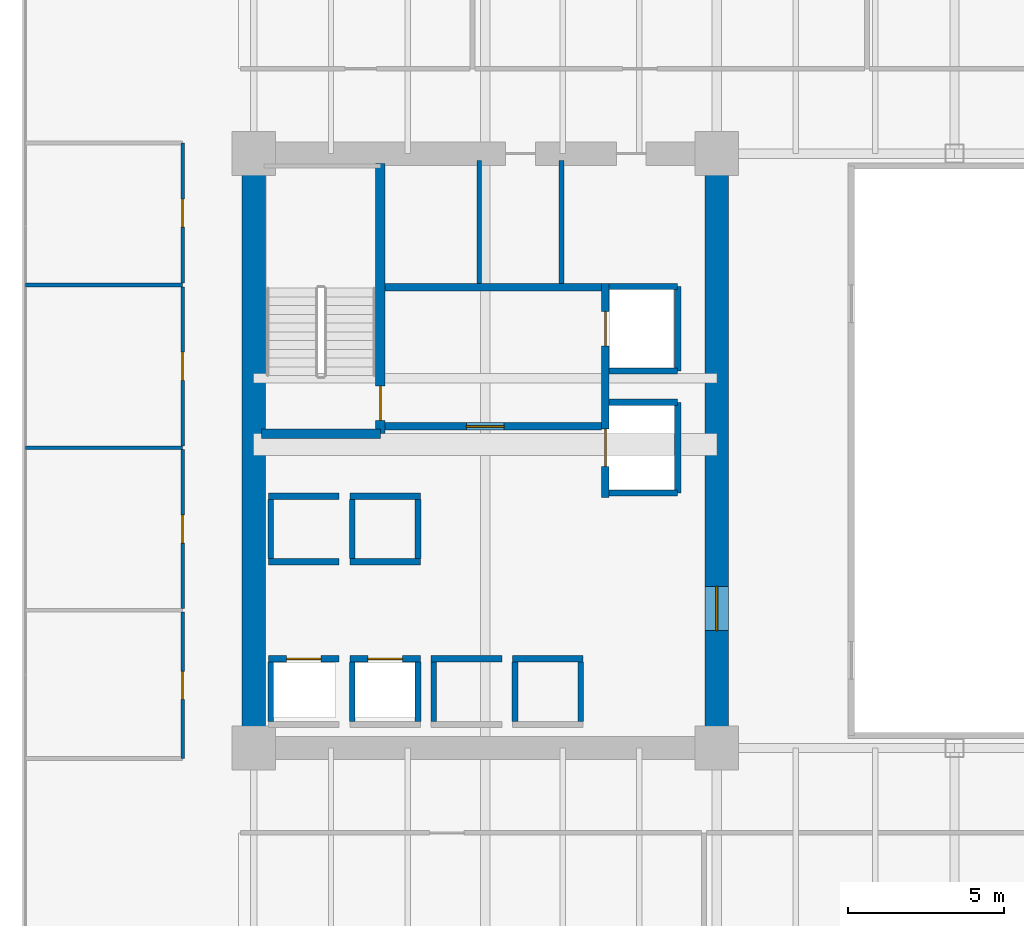
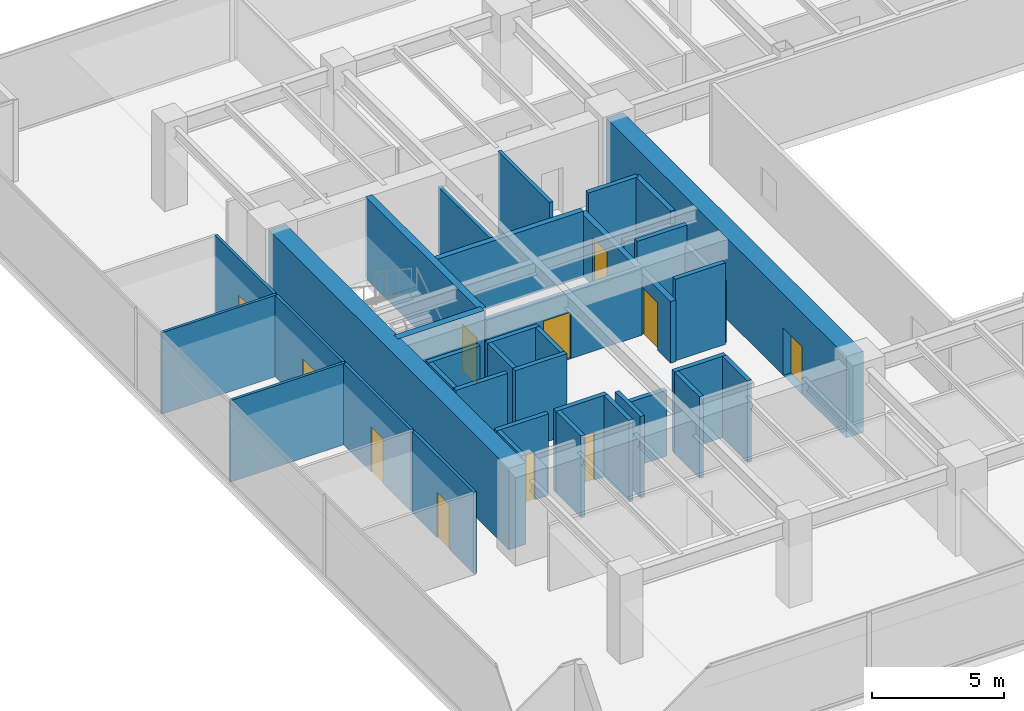
# One storey, part 29 of 36: 38 walls, 11 doors, 11 openings.
"""IFC4 building model written with IfcOpenShell, lengths in metres."""

from ifc_helpers import new_model, si_unit, direction, frame, frame_2d, origin, place, context, subcontext, project, spatial, rectangle, extrude, source, transform, mapped, material, layer, layer_set, type_object, type_shapes, element, fill, save


model = new_model("IFC4")

# Units and contexts
model_context = context("Model", 3, precision=1e-05, world=origin(), true_north=direction((0.0, 1.0)))
body_context = subcontext(model_context, "Body", "Model", "MODEL_VIEW")
ifc_project = project(units=[si_unit("LENGTHUNIT", "METRE"), si_unit("AREAUNIT", "SQUARE_METRE"), si_unit("VOLUMEUNIT", "CUBIC_METRE"), si_unit("PLANEANGLEUNIT", "RADIAN"), si_unit("MASSUNIT", "GRAM", prefix="KILO")], contexts=[model_context])

# Site, building, storey
site_placement = place(None, origin())
site = spatial("IfcSite", under=ifc_project, at=site_placement, CompositionType="ELEMENT")
building_placement = place(site_placement, origin())
building = spatial("IfcBuilding", under=site, at=building_placement, Name="Haelvirn Gate Laboratories", CompositionType="ELEMENT")
storey_placement = place(building_placement, frame((0.0, 0.0, 53.89990234375)))
storey = spatial("IfcBuildingStorey", under=building, at=storey_placement, Name="L13", CompositionType="ELEMENT", Elevation=53.89990234375)

# Wall, opening, door
ifc_material_1 = material(Name="Lightweight acoustic gypsum board partition", Category="gypsum")
ifc_layer_1 = layer(ifc_material_1, 0.1201171875, Name="IW-PART-120")
ifc_layer_set_1 = layer_set([ifc_layer_1], Name="Lightweight acoustic gypsum board partition")
wall_type_1 = type_object("IfcWallType", Name="IW-PART-120", PredefinedType="PARTITIONING", material=ifc_layer_set_1)
wall_1_placement = place(storey_placement, frame((5.1298828125, 14.465087890625, 0.0), z_axis=(0.0, 0.0, 1.0), x_axis=(0.0, 1.0, 0.0)))
wall_1 = element("IfcWall", 1, at=wall_1_placement, inside=storey, type_object=wall_type_1, Name="L13 Interior Wall IW-L13-WPASS-01", PredefinedType="PARTITIONING", context=body_context, shape_type="SweptSolid", body=[
    extrude(rectangle(XDim=4.6748046875, YDim=0.1201171875, at=frame_2d((2.33740234375, 0.0))), origin(), (0.0, 0.0, 1.0), 3.780029296875),
])
opening_1_placement = place(wall_1_placement, frame((1.887451171875, 0.0, 0.0)))
opening_1 = element("IfcOpeningElement", 2, at=opening_1_placement, cuts=wall_1, Name="Opening D4", PredefinedType="OPENING", context=body_context, shape_type="SweptSolid", body=[
    extrude(rectangle(XDim=0.89990234375, YDim=2.10009765625, at=frame_2d((0.449951171875, 1.050048828125))), frame((0.0, 0.070068359375, 0.0), z_axis=(0.0, -1.0, 0.0), x_axis=(1.0, 0.0, 0.0)), (0.0, 0.0, 1.0), 0.14013671875),
])
ifc_material_2 = material(Name="Glazed aluminium-framed write-up door", Category="aluminium")
door_type_1 = type_object("IfcDoorType", Name="DR-OFF-900", OperationType="NOTDEFINED", PredefinedType="DOOR", material=ifc_material_2)
shared_shape_1 = source(origin(), body_context, "Body", "SweptSolid", [
    extrude(rectangle(XDim=0.89990234375, YDim=2.10009765625, at=frame_2d((0.449951171875, 1.050048828125))), frame((0.0, 0.02490234375, 0.0), z_axis=(0.0, -1.0, 0.0), x_axis=(1.0, 0.0, 0.0)), (0.0, 0.0, 1.0), 0.050048828125),
])
type_shapes(door_type_1, [shared_shape_1])
door_1_placement = place(opening_1_placement, origin())
door_1 = element("IfcDoor", 3, at=door_1_placement, inside=storey, type_object=door_type_1, Name="L13 Proteomics Mass-Spec Laboratory Door W1", OperationType="SINGLE_SWING_LEFT", OverallHeight=2.10009765625, OverallWidth=0.89990234375, PredefinedType="DOOR", context=body_context, shape_type="MappedRepresentation", body=[
    mapped(shared_shape_1, transform((0.0, 0.0, 0.0), scale=1.0)),
])
fill(opening_1, door_1)

wall_2_placement = place(storey_placement, frame((5.1298828125, 19.260009765625, 0.0), z_axis=(0.0, 0.0, 1.0), x_axis=(0.0, 1.0, 0.0)))
wall_2 = element("IfcWall", 4, at=wall_2_placement, inside=storey, type_object=wall_type_1, Name="L13 Interior Wall IW-L13-WPASS-02", PredefinedType="PARTITIONING", context=body_context, shape_type="SweptSolid", body=[
    extrude(rectangle(XDim=5.080078125, YDim=0.1201171875, at=frame_2d((2.5400390625, 0.0))), origin(), (0.0, 0.0, 1.0), 3.780029296875),
])
opening_2_placement = place(wall_2_placement, frame((2.090087890625, 0.0, 0.0)))
opening_2 = element("IfcOpeningElement", 5, at=opening_2_placement, cuts=wall_2, Name="Opening D4", PredefinedType="OPENING", context=body_context, shape_type="SweptSolid", body=[
    extrude(rectangle(XDim=0.89990234375, YDim=2.10009765625, at=frame_2d((0.449951171875, 1.050048828125))), frame((0.0, 0.070068359375, 0.0), z_axis=(0.0, -1.0, 0.0), x_axis=(1.0, 0.0, 0.0)), (0.0, 0.0, 1.0), 0.14013671875),
])
door_2_placement = place(opening_2_placement, origin())
door_2 = element("IfcDoor", 6, at=door_2_placement, inside=storey, type_object=door_type_1, Name="L13 Chemical Synthesis Laboratory Door W2", OperationType="SINGLE_SWING_RIGHT", OverallHeight=2.10009765625, OverallWidth=0.89990234375, PredefinedType="DOOR", context=body_context, shape_type="MappedRepresentation", body=[
    mapped(shared_shape_1, transform((0.0, 0.0, 0.0), scale=1.0)),
])
fill(opening_2, door_2)

# Wall
wall_3_placement = place(storey_placement, frame((0.110107421875, 24.39990234375, 0.0), z_axis=(0.0, 0.0, 1.0), x_axis=(1.0, 0.0, 0.0)))
element("IfcWall", 7, at=wall_3_placement, inside=storey, type_object=wall_type_1, Name="L13 Interior Wall IW-L13-WDIV-02", PredefinedType="PARTITIONING", context=body_context, shape_type="SweptSolid", body=[
    extrude(rectangle(XDim=5.019775390625, YDim=0.1201171875, at=frame_2d((2.509765625, 0.0))), origin(), (0.0, 0.0, 1.0), 3.780029296875),
])

# Wall, opening, door
wall_4_placement = place(storey_placement, frame((5.1298828125, 24.4599609375, 0.0), z_axis=(0.0, 0.0, 1.0), x_axis=(0.0, 1.0, 0.0)))
wall_4 = element("IfcWall", 8, at=wall_4_placement, inside=storey, type_object=wall_type_1, Name="L13 Interior Wall IW-L13-WPASS-03", PredefinedType="PARTITIONING", context=body_context, shape_type="SweptSolid", body=[
    extrude(rectangle(XDim=5.080078125, YDim=0.1201171875, at=frame_2d((2.5400390625, 0.0))), origin(), (0.0, 0.0, 1.0), 3.780029296875),
])
opening_3_placement = place(wall_4_placement, frame((2.090087890625, 0.0, 0.0)))
opening_3 = element("IfcOpeningElement", 9, at=opening_3_placement, cuts=wall_4, Name="Opening D4", PredefinedType="OPENING", context=body_context, shape_type="SweptSolid", body=[
    extrude(rectangle(XDim=0.89990234375, YDim=2.10009765625, at=frame_2d((0.449951171875, 1.050048828125))), frame((0.0, 0.070068359375, 0.0), z_axis=(0.0, -1.0, 0.0), x_axis=(1.0, 0.0, 0.0)), (0.0, 0.0, 1.0), 0.14013671875),
])
door_3_placement = place(opening_3_placement, origin())
door_3 = element("IfcDoor", 10, at=door_3_placement, inside=storey, type_object=door_type_1, Name="L13 Bioprocess Foundry Laboratory Door W3", OperationType="SINGLE_SWING_LEFT", OverallHeight=2.10009765625, OverallWidth=0.89990234375, PredefinedType="DOOR", context=body_context, shape_type="MappedRepresentation", body=[
    mapped(shared_shape_1, transform((0.0, 0.0, 0.0), scale=1.0)),
])
fill(opening_3, door_3)

# Wall
wall_5_placement = place(storey_placement, frame((0.110107421875, 29.60009765625, 0.0), z_axis=(0.0, 0.0, 1.0), x_axis=(1.0, 0.0, 0.0)))
element("IfcWall", 11, at=wall_5_placement, inside=storey, type_object=wall_type_1, Name="L13 Interior Wall IW-L13-WDIV-03", PredefinedType="PARTITIONING", context=body_context, shape_type="SweptSolid", body=[
    extrude(rectangle(XDim=5.019775390625, YDim=0.1201171875, at=frame_2d((2.509765625, 0.0))), origin(), (0.0, 0.0, 1.0), 3.780029296875),
])

# Wall, opening, door
wall_6_placement = place(storey_placement, frame((5.1298828125, 29.659912109375, 0.0), z_axis=(0.0, 0.0, 1.0), x_axis=(0.0, 1.0, 0.0)))
wall_6 = element("IfcWall", 12, at=wall_6_placement, inside=storey, type_object=wall_type_1, Name="L13 Interior Wall IW-L13-WPASS-04", PredefinedType="PARTITIONING", context=body_context, shape_type="SweptSolid", body=[
    extrude(rectangle(XDim=4.47509765625, YDim=0.1201171875, at=frame_2d((2.237548828125, 0.0))), origin(), (0.0, 0.0, 1.0), 3.780029296875),
])
opening_4_placement = place(wall_6_placement, frame((1.78759765625, 0.0, 0.0)))
opening_4 = element("IfcOpeningElement", 13, at=opening_4_placement, cuts=wall_6, Name="Opening D4", PredefinedType="OPENING", context=body_context, shape_type="SweptSolid", body=[
    extrude(rectangle(XDim=0.89990234375, YDim=2.10009765625, at=frame_2d((0.449951171875, 1.050048828125))), frame((0.0, 0.070068359375, 0.0), z_axis=(0.0, -1.0, 0.0), x_axis=(1.0, 0.0, 0.0)), (0.0, 0.0, 1.0), 0.14013671875),
])
door_4_placement = place(opening_4_placement, origin())
door_4 = element("IfcDoor", 14, at=door_4_placement, inside=storey, type_object=door_type_1, Name="L13 Genomics Assay Laboratory Door W4", OperationType="SINGLE_SWING_RIGHT", OverallHeight=2.10009765625, OverallWidth=0.89990234375, PredefinedType="DOOR", context=body_context, shape_type="MappedRepresentation", body=[
    mapped(shared_shape_1, transform((0.0, 0.0, 0.0), scale=1.0)),
])
fill(opening_4, door_4)

# Walls
ifc_material_3 = material(Name="Cement-board restroom plumbing chase wall", Category="gypsum")
ifc_layer_2 = layer(ifc_material_3, 0.155029296875, Name="IW-PLUMB-160")
ifc_layer_set_2 = layer_set([ifc_layer_2], Name="Cement-board restroom plumbing chase wall")
wall_type_2 = type_object("IfcWallType", Name="IW-PLUMB-160", PredefinedType="PLUMBINGWALL", material=ifc_layer_set_2)
wall_7_placement = place(storey_placement, frame((14.610107421875, 29.64990234375, 0.0), z_axis=(0.0, 0.0, 1.0), x_axis=(0.0, 1.0, 0.0)))
element("IfcWall", 15, at=wall_7_placement, inside=storey, type_object=wall_type_2, Name="L13 Interior Wall IW-L13-W-CDIV-0", PredefinedType="PLUMBINGWALL", context=body_context, shape_type="SweptSolid", body=[
    extrude(rectangle(XDim=3.93017578125, YDim=0.155029296875, at=frame_2d((1.965087890625, 0.0))), origin(), (0.0, 0.0, 1.0), 3.065185546875),
])
wall_8_placement = place(storey_placement, frame((17.239990234375, 29.64990234375, 0.0), z_axis=(0.0, 0.0, 1.0), x_axis=(0.0, 1.0, 0.0)))
element("IfcWall", 16, at=wall_8_placement, inside=storey, type_object=wall_type_2, Name="L13 Interior Wall IW-L13-W-CDIV-1", PredefinedType="PLUMBINGWALL", context=body_context, shape_type="SweptSolid", body=[
    extrude(rectangle(XDim=3.93017578125, YDim=0.155029296875, at=frame_2d((1.965087890625, 0.0))), origin(), (0.0, 0.0, 1.0), 3.780029296875),
])
ifc_material_4 = material(Name="Concrete C40/50", Category="concrete")
ifc_layer_3 = layer(ifc_material_4, 0.179931640625, Name="IW-SHAFT-180")
ifc_layer_set_3 = layer_set([ifc_layer_3], Name="Concrete C40/50")
wall_type_3 = type_object("IfcWallType", Name="IW-SHAFT-180", PredefinedType="SOLIDWALL", material=ifc_layer_set_3)
for number, where, z_axis, x_axis, name in (
    (17, (7.949951171875, 15.64990234375, 0.0), (0.0, 0.0, 1.0), (0.0, 1.0, 0.0), "L13 Interior Wall IW-L13-PL1-SD"),
    (18, (10.550048828125, 15.64990234375, 0.0), (0.0, 0.0, 1.0), (0.0, 1.0, 0.0), "L13 Interior Wall IW-L13-PL2-SD"),
    (19, (12.64990234375, 15.64990234375, 0.0), (0.0, 0.0, 1.0), (0.0, 1.0, 0.0), "L13 Interior Wall IW-L13-PL2-SDE"),
    (20, (13.14990234375, 15.64990234375, 0.0), (0.0, 0.0, 1.0), (0.0, 1.0, 0.0), "L13 Interior Wall IW-L13-PL5-SD"),
    (21, (15.75, 15.64990234375, 0.0), (0.0, 0.0, 1.0), (0.0, 1.0, 0.0), "L13 Interior Wall IW-L13-PL6-SD"),
    (22, (17.85009765625, 15.64990234375, 0.0), (0.0, 0.0, 1.0), (0.0, 1.0, 0.0), "L13 Interior Wall IW-L13-PL6-SDE"),
):
    element("IfcWall", number, at=place(storey_placement, frame(where, z_axis=z_axis, x_axis=x_axis)), inside=storey, type_object=wall_type_3, Name=name, PredefinedType="SOLIDWALL", context=body_context, shape_type="SweptSolid", body=[
        extrude(rectangle(XDim=1.900146484375, YDim=0.179931640625, at=frame_2d((0.9501953125, 0.0))), origin(), (0.0, 0.0, 1.0), 3.780029296875),
    ])
for number, where, z_axis, x_axis, name in (
    (23, (7.949951171875, 20.85009765625, 0.0), (0.0, 0.0, 1.0), (0.0, 1.0, 0.0), "L13 Interior Wall IW-L13-PL9-SD"),
    (24, (10.550048828125, 20.85009765625, 0.0), (0.0, 0.0, 1.0), (0.0, 1.0, 0.0), "L13 Interior Wall IW-L13-PL10-SD"),
    (25, (12.64990234375, 20.85009765625, 0.0), (0.0, 0.0, 1.0), (0.0, 1.0, 0.0), "L13 Interior Wall IW-L13-PL10-SDE"),
):
    element("IfcWall", number, at=place(storey_placement, frame(where, z_axis=z_axis, x_axis=x_axis)), inside=storey, type_object=wall_type_3, Name=name, PredefinedType="SOLIDWALL", context=body_context, shape_type="SweptSolid", body=[
        extrude(rectangle(XDim=1.89990234375, YDim=0.179931640625, at=frame_2d((0.949951171875, 0.0))), origin(), (0.0, 0.0, 1.0), 3.780029296875),
    ])

# Wall, opening, door
ifc_layer_4 = layer(ifc_material_4, 0.199951171875, Name="IW-SHAFT-200")
ifc_layer_set_4 = layer_set([ifc_layer_4], Name="Concrete C40/50")
wall_type_4 = type_object("IfcWallType", Name="IW-SHAFT-200", PredefinedType="SOLIDWALL", material=ifc_layer_set_4)
wall_9_placement = place(storey_placement, frame((7.8701171875, 17.64990234375, 0.0), z_axis=(0.0, 0.0, 1.0), x_axis=(1.0, 0.0, 0.0)))
wall_9 = element("IfcWall", 26, at=wall_9_placement, inside=storey, type_object=wall_type_4, Name="L13 Interior Wall IW-L13-PL1-FR", PredefinedType="SOLIDWALL", context=body_context, shape_type="SweptSolid", body=[
    extrude(rectangle(XDim=2.259765625, YDim=0.199951171875, at=frame_2d((1.1298828125, 0.0))), origin(), (0.0, 0.0, 1.0), 3.780029296875),
])
opening_5_placement = place(wall_9_placement, frame((0.580078125, 0.0, 0.0)))
opening_5 = element("IfcOpeningElement", 27, at=opening_5_placement, cuts=wall_9, Name="Opening LD2", PredefinedType="OPENING", context=body_context, shape_type="SweptSolid", body=[
    extrude(rectangle(XDim=1.10009765625, YDim=2.219970703125, at=frame_2d((0.550048828125, 1.10986328125))), frame((0.0, 0.10986328125, 0.0), z_axis=(0.0, -1.0, 0.0), x_axis=(1.0, 0.0, 0.0)), (0.0, 0.0, 1.0), 0.219970703125),
])
ifc_material_5 = material(Name="Bronze stainless 316L sliding lift landing door")
door_type_2 = type_object("IfcDoorType", Name="DR-LD-1100", OperationType="NOTDEFINED", PredefinedType="USERDEFINED", material=ifc_material_5)
shared_shape_2 = source(origin(), body_context, "Body", "SweptSolid", [
    extrude(rectangle(XDim=1.10009765625, YDim=2.219970703125, at=frame_2d((0.550048828125, 1.10986328125))), frame((0.0, 0.02490234375, 0.0), z_axis=(0.0, -1.0, 0.0), x_axis=(1.0, 0.0, 0.0)), (0.0, 0.0, 1.0), 0.050048828125),
])
type_shapes(door_type_2, [shared_shape_2])
door_5_placement = place(opening_5_placement, origin())
door_5 = element("IfcDoor", 28, at=door_5_placement, inside=storey, type_object=door_type_2, Name="L13 Passenger Lift PL1 Landing Door", ObjectType="LANDING_DOOR", OperationType="SLIDING_TO_LEFT", OverallHeight=2.219970703125, OverallWidth=1.10009765625, PredefinedType="USERDEFINED", context=body_context, shape_type="MappedRepresentation", body=[
    mapped(shared_shape_2, transform((0.0, 0.0, 0.0), scale=1.0)),
])
fill(opening_5, door_5)

wall_10_placement = place(storey_placement, frame((10.469970703125, 17.64990234375, 0.0), z_axis=(0.0, 0.0, 1.0), x_axis=(1.0, 0.0, 0.0)))
wall_10 = element("IfcWall", 29, at=wall_10_placement, inside=storey, type_object=wall_type_4, Name="L13 Interior Wall IW-L13-PL2-FR", PredefinedType="SOLIDWALL", context=body_context, shape_type="SweptSolid", body=[
    extrude(rectangle(XDim=2.260009765625, YDim=0.199951171875, at=frame_2d((1.1298828125, 0.0))), origin(), (0.0, 0.0, 1.0), 3.780029296875),
])
opening_6_placement = place(wall_10_placement, frame((0.580078125, 0.0, 0.0)))
opening_6 = element("IfcOpeningElement", 30, at=opening_6_placement, cuts=wall_10, Name="Opening LD2", PredefinedType="OPENING", context=body_context, shape_type="SweptSolid", body=[
    extrude(rectangle(XDim=1.10009765625, YDim=2.219970703125, at=frame_2d((0.550048828125, 1.10986328125))), frame((0.0, 0.10986328125, 0.0), z_axis=(0.0, -1.0, 0.0), x_axis=(1.0, 0.0, 0.0)), (0.0, 0.0, 1.0), 0.219970703125),
])
door_6_placement = place(opening_6_placement, origin())
door_6 = element("IfcDoor", 31, at=door_6_placement, inside=storey, type_object=door_type_2, Name="L13 Passenger Lift PL2 Landing Door", ObjectType="LANDING_DOOR", OperationType="SLIDING_TO_RIGHT", OverallHeight=2.219970703125, OverallWidth=1.10009765625, PredefinedType="USERDEFINED", context=body_context, shape_type="MappedRepresentation", body=[
    mapped(shared_shape_2, transform((0.0, 0.0, 0.0), scale=1.0)),
])
fill(opening_6, door_6)

# Walls
wall_11_placement = place(storey_placement, frame((13.070068359375, 17.64990234375, 0.0), z_axis=(0.0, 0.0, 1.0), x_axis=(1.0, 0.0, 0.0)))
element("IfcWall", 32, at=wall_11_placement, inside=storey, type_object=wall_type_4, Name="L13 Interior Wall IW-L13-PL5-FR", PredefinedType="SOLIDWALL", context=body_context, shape_type="SweptSolid", body=[
    extrude(rectangle(XDim=2.260009765625, YDim=0.199951171875, at=frame_2d((1.1298828125, 0.0))), origin(), (0.0, 0.0, 1.0), 3.065185546875),
])
wall_12_placement = place(storey_placement, frame((15.669921875, 17.64990234375, 0.0), z_axis=(0.0, 0.0, 1.0), x_axis=(1.0, 0.0, 0.0)))
element("IfcWall", 33, at=wall_12_placement, inside=storey, type_object=wall_type_4, Name="L13 Interior Wall IW-L13-PL6-FR", PredefinedType="SOLIDWALL", context=body_context, shape_type="SweptSolid", body=[
    extrude(rectangle(XDim=2.260009765625, YDim=0.199951171875, at=frame_2d((1.1298828125, 0.0))), origin(), (0.0, 0.0, 1.0), 3.780029296875),
])
for number, where, z_axis, x_axis, name in (
    (34, (7.8701171875, 20.75, 0.0), (0.0, 0.0, 1.0), (1.0, 0.0, 0.0), "L13 Interior Wall IW-L13-PL9-FR"),
    (35, (7.8701171875, 22.85009765625, 0.0), (0.0, 0.0, 1.0), (1.0, 0.0, 0.0), "L13 Interior Wall IW-L13-PL9-BK"),
):
    element("IfcWall", number, at=place(storey_placement, frame(where, z_axis=z_axis, x_axis=x_axis)), inside=storey, type_object=wall_type_4, Name=name, PredefinedType="SOLIDWALL", context=body_context, shape_type="SweptSolid", body=[
        extrude(rectangle(XDim=2.259765625, YDim=0.199951171875, at=frame_2d((1.1298828125, 0.0))), origin(), (0.0, 0.0, 1.0), 3.780029296875),
    ])
for number, where, z_axis, x_axis, name in (
    (36, (10.469970703125, 20.75, 0.0), (0.0, 0.0, 1.0), (1.0, 0.0, 0.0), "L13 Interior Wall IW-L13-PL10-FR"),
    (37, (10.469970703125, 22.85009765625, 0.0), (0.0, 0.0, 1.0), (1.0, 0.0, 0.0), "L13 Interior Wall IW-L13-PL10-BK"),
):
    element("IfcWall", number, at=place(storey_placement, frame(where, z_axis=z_axis, x_axis=x_axis)), inside=storey, type_object=wall_type_4, Name=name, PredefinedType="SOLIDWALL", context=body_context, shape_type="SweptSolid", body=[
        extrude(rectangle(XDim=2.260009765625, YDim=0.199951171875, at=frame_2d((1.1298828125, 0.0))), origin(), (0.0, 0.0, 1.0), 3.780029296875),
    ])
wall_13_placement = place(storey_placement, frame((20.949951171875, 26.85009765625, 0.0), z_axis=(0.0, 0.0, 1.0), x_axis=(0.0, 1.0, 0.0)))
element("IfcWall", 38, at=wall_13_placement, inside=storey, type_object=wall_type_4, Name="L13 Interior Wall IW-L13-FL1-BK", PredefinedType="SOLIDWALL", context=body_context, shape_type="SweptSolid", body=[
    extrude(rectangle(XDim=2.699951171875, YDim=0.199951171875, at=frame_2d((1.35009765625, 0.0))), origin(), (0.0, 0.0, 1.0), 3.780029296875),
])
wall_14_placement = place(storey_placement, frame((18.760009765625, 29.550048828125, 0.0), z_axis=(0.0, 0.0, 1.0), x_axis=(1.0, 0.0, 0.0)))
element("IfcWall", 39, at=wall_14_placement, inside=storey, type_object=wall_type_4, Name="L13 Interior Wall IW-L13-FL1-N", PredefinedType="SOLIDWALL", context=body_context, shape_type="SweptSolid", body=[
    extrude(rectangle(XDim=2.18994140625, YDim=0.199951171875, at=frame_2d((1.094970703125, 0.0))), origin(), (0.0, 0.0, 1.0), 3.780029296875),
])
wall_15_placement = place(storey_placement, frame((18.760009765625, 26.85009765625, 0.0), z_axis=(0.0, 0.0, 1.0), x_axis=(1.0, 0.0, 0.0)))
element("IfcWall", 40, at=wall_15_placement, inside=storey, type_object=wall_type_4, Name="L13 Interior Wall IW-L13-FL1-S", PredefinedType="SOLIDWALL", context=body_context, shape_type="SweptSolid", body=[
    extrude(rectangle(XDim=2.18994140625, YDim=0.199951171875, at=frame_2d((1.094970703125, 0.0))), origin(), (0.0, 0.0, 1.0), 3.177001953125),
])
wall_16_placement = place(storey_placement, frame((20.949951171875, 22.949951171875, 0.0), z_axis=(0.0, 0.0, 1.0), x_axis=(0.0, 1.0, 0.0)))
element("IfcWall", 41, at=wall_16_placement, inside=storey, type_object=wall_type_4, Name="L13 Interior Wall IW-L13-SL1-BK", PredefinedType="SOLIDWALL", context=body_context, shape_type="SweptSolid", body=[
    extrude(rectangle(XDim=2.900146484375, YDim=0.199951171875, at=frame_2d((1.4501953125, 0.0))), origin(), (0.0, 0.0, 1.0), 2.864990234375),
])
for number, where, z_axis, x_axis, name in (
    (42, (18.760009765625, 25.85009765625, 0.0), (0.0, 0.0, 1.0), (1.0, 0.0, 0.0), "L13 Interior Wall IW-L13-SL1-N"),
    (43, (18.760009765625, 22.949951171875, 0.0), (0.0, 0.0, 1.0), (1.0, 0.0, 0.0), "L13 Interior Wall IW-L13-SL1-S"),
):
    element("IfcWall", number, at=place(storey_placement, frame(where, z_axis=z_axis, x_axis=x_axis)), inside=storey, type_object=wall_type_4, Name=name, PredefinedType="SOLIDWALL", context=body_context, shape_type="SweptSolid", body=[
        extrude(rectangle(XDim=2.18994140625, YDim=0.199951171875, at=frame_2d((1.094970703125, 0.0))), origin(), (0.0, 0.0, 1.0), 3.780029296875),
    ])

# Wall, opening, door
ifc_layer_5 = layer(ifc_material_4, 0.239990234375, Name="IW-SHAFT-240")
ifc_layer_set_5 = layer_set([ifc_layer_5], Name="Concrete C40/50")
wall_type_5 = type_object("IfcWallType", Name="IW-SHAFT-240", PredefinedType="SOLIDWALL", material=ifc_layer_set_5)
wall_17_placement = place(storey_placement, frame((11.60009765625, 25.080078125, 0.0), z_axis=(0.0, 0.0, 1.0), x_axis=(1.0, 0.0, 0.0)))
wall_17 = element("IfcWall", 44, at=wall_17_placement, inside=storey, type_object=wall_type_5, Name="L13 Interior Wall IW-L13-W-FF-S", PredefinedType="SOLIDWALL", context=body_context, shape_type="SweptSolid", body=[
    extrude(rectangle(XDim=6.919921875, YDim=0.239990234375, at=frame_2d((3.4599609375, 0.0))), origin(), (0.0, 0.0, 1.0), 3.065185546875),
])
opening_7_placement = place(wall_17_placement, frame((2.60009765625, 0.0, 0.0)))
opening_7 = element("IfcOpeningElement", 45, at=opening_7_placement, cuts=wall_17, Name="Opening FD2", PredefinedType="OPENING", context=body_context, shape_type="SweptSolid", body=[
    extrude(rectangle(XDim=1.199951171875, YDim=2.159912109375, at=frame_2d((0.60009765625, 1.080078125))), frame((0.0, 0.1298828125, 0.0), z_axis=(0.0, -1.0, 0.0), x_axis=(1.0, 0.0, 0.0)), (0.0, 0.0, 1.0), 0.260009765625),
])
ifc_material_6 = material(Name="Fire-rated steel SM355 compartment door", Category="steel")
door_type_3 = type_object("IfcDoorType", Name="DR-FD-1200", OperationType="NOTDEFINED", PredefinedType="DOOR", material=ifc_material_6)
shared_shape_3 = source(origin(), body_context, "Body", "SweptSolid", [
    extrude(rectangle(XDim=1.199951171875, YDim=2.159912109375, at=frame_2d((0.60009765625, 1.080078125))), frame((0.0, 0.02490234375, 0.0), z_axis=(0.0, -1.0, 0.0), x_axis=(1.0, 0.0, 0.0)), (0.0, 0.0, 1.0), 0.050048828125),
])
type_shapes(door_type_3, [shared_shape_3])
door_7_placement = place(opening_7_placement, origin())
door_7 = element("IfcDoor", 46, at=door_7_placement, inside=storey, type_object=door_type_3, Name="L13 West Firefighting Lobby Door", OperationType="SINGLE_SWING_RIGHT", OverallHeight=2.159912109375, OverallWidth=1.199951171875, PredefinedType="DOOR", context=body_context, shape_type="MappedRepresentation", body=[
    mapped(shared_shape_3, transform((0.0, 0.0, 0.0), scale=1.0)),
])
fill(opening_7, door_7)

# Wall
wall_18_placement = place(storey_placement, frame((11.60009765625, 29.52001953125, 0.0), z_axis=(0.0, 0.0, 1.0), x_axis=(1.0, 0.0, 0.0)))
element("IfcWall", 47, at=wall_18_placement, inside=storey, type_object=wall_type_5, Name="L13 Interior Wall IW-L13-W-FF-N", PredefinedType="SOLIDWALL", context=body_context, shape_type="SweptSolid", body=[
    extrude(rectangle(XDim=6.919921875, YDim=0.239990234375, at=frame_2d((3.4599609375, 0.0))), origin(), (0.0, 0.0, 1.0), 3.065185546875),
])

# Wall, openings, doors
wall_19_placement = place(storey_placement, frame((18.639892578125, 22.800048828125, 0.0), z_axis=(0.0, 0.0, 1.0), x_axis=(0.0, 1.0, 0.0)))
wall_19 = element("IfcWall", 48, at=wall_19_placement, inside=storey, type_object=wall_type_5, Name="L13 Interior Wall IW-L13-W-FF-E", PredefinedType="SOLIDWALL", context=body_context, shape_type="SweptSolid", body=[
    extrude(rectangle(XDim=6.849853515625, YDim=0.239990234375, at=frame_2d((3.4248046875, 0.0))), origin(), (0.0, 0.0, 1.0), 2.864990234375),
])
opening_8_placement = place(wall_19_placement, frame((4.85009765625, 0.0, 0.0)))
opening_8 = element("IfcOpeningElement", 49, at=opening_8_placement, cuts=wall_19, Name="Opening LD2", PredefinedType="OPENING", context=body_context, shape_type="SweptSolid", body=[
    extrude(rectangle(XDim=1.10009765625, YDim=2.219970703125, at=frame_2d((0.550048828125, 1.10986328125))), frame((0.0, 0.1298828125, 0.0), z_axis=(0.0, -1.0, 0.0), x_axis=(1.0, 0.0, 0.0)), (0.0, 0.0, 1.0), 0.260009765625),
])
opening_9_placement = place(wall_19_placement, frame((1.0, 0.0, 0.0)))
opening_9 = element("IfcOpeningElement", 50, at=opening_9_placement, cuts=wall_19, Name="Opening LD1", PredefinedType="OPENING", context=body_context, shape_type="SweptSolid", body=[
    extrude(rectangle(XDim=1.199951171875, YDim=2.219970703125, at=frame_2d((0.60009765625, 1.10986328125))), frame((0.0, 0.1298828125, 0.0), z_axis=(0.0, -1.0, 0.0), x_axis=(1.0, 0.0, 0.0)), (0.0, 0.0, 1.0), 0.260009765625),
])
door_8_placement = place(opening_8_placement, origin())
door_8 = element("IfcDoor", 51, at=door_8_placement, inside=storey, type_object=door_type_2, Name="L13 Firefighting Lift FL1 Landing Door", ObjectType="LANDING_DOOR", OperationType="SLIDING_TO_LEFT", OverallHeight=2.219970703125, OverallWidth=1.10009765625, PredefinedType="USERDEFINED", context=body_context, shape_type="MappedRepresentation", body=[
    mapped(shared_shape_2, transform((0.0, 0.0, 0.0), scale=1.0)),
])
fill(opening_8, door_8)
ifc_material_7 = material(Name="Stainless steel 316L sliding goods landing door", Category="steel")
door_type_4 = type_object("IfcDoorType", Name="DR-LD-1200", OperationType="NOTDEFINED", PredefinedType="USERDEFINED", material=ifc_material_7)
shared_shape_4 = source(origin(), body_context, "Body", "SweptSolid", [
    extrude(rectangle(XDim=1.199951171875, YDim=2.219970703125, at=frame_2d((0.60009765625, 1.10986328125))), frame((0.0, 0.02490234375, 0.0), z_axis=(0.0, -1.0, 0.0), x_axis=(1.0, 0.0, 0.0)), (0.0, 0.0, 1.0), 0.050048828125),
])
type_shapes(door_type_4, [shared_shape_4])
door_9_placement = place(opening_9_placement, origin())
door_9 = element("IfcDoor", 52, at=door_9_placement, inside=storey, type_object=door_type_4, Name="L13 Service Lift SL1 Landing Door", ObjectType="LANDING_DOOR", OperationType="SLIDING_TO_RIGHT", OverallHeight=2.219970703125, OverallWidth=1.199951171875, PredefinedType="USERDEFINED", context=body_context, shape_type="MappedRepresentation", body=[
    mapped(shared_shape_4, transform((0.0, 0.0, 0.0), scale=1.0)),
])
fill(opening_9, door_9)

# Wall
ifc_material_8 = material(Name="Concrete C70/85", Category="concrete")
ifc_layer_6 = layer(ifc_material_8, 0.75, Name="SW-CORE-750")
ifc_layer_set_6 = layer_set([ifc_layer_6], Name="Concrete C70/85")
wall_type_6 = type_object("IfcWallType", Name="SW-CORE-750", PredefinedType="SHEAR", material=ifc_layer_set_6)
wall_20_placement = place(storey_placement, frame((7.39990234375, 15.175048828125, 0.0), z_axis=(0.0, 0.0, 1.0), x_axis=(0.0, 1.0, 0.0)))
element("IfcWall", 53, at=wall_20_placement, inside=storey, type_object=wall_type_6, Name="L13 W Core Shear Wall W", PredefinedType="SHEAR", context=body_context, shape_type="SweptSolid", body=[
    extrude(rectangle(XDim=18.25, YDim=0.75, at=frame_2d((9.125, 0.0))), origin(), (0.0, 0.0, 1.0), 3.780029296875),
])

# Wall, opening, door
wall_21_placement = place(storey_placement, frame((22.199951171875, 15.175048828125, 0.0), z_axis=(0.0, 0.0, 1.0), x_axis=(0.0, 1.0, 0.0)))
wall_21 = element("IfcWall", 54, at=wall_21_placement, inside=storey, type_object=wall_type_6, Name="L13 W Core Shear Wall E", PredefinedType="SHEAR", context=body_context, shape_type="SweptSolid", body=[
    extrude(rectangle(XDim=18.25, YDim=0.75, at=frame_2d((9.125, 0.0))), origin(), (0.0, 0.0, 1.0), 3.780029296875),
])
opening_10_placement = place(wall_21_placement, frame((3.375, 0.0, 0.0)))
opening_10 = element("IfcOpeningElement", 55, at=opening_10_placement, cuts=wall_21, Name="Opening FD1", PredefinedType="OPENING", context=body_context, shape_type="SweptSolid", body=[
    extrude(rectangle(XDim=1.419921875, YDim=2.199951171875, at=frame_2d((0.7099609375, 1.10009765625))), frame((0.0, 0.385009765625, 0.0), z_axis=(0.0, -1.0, 0.0), x_axis=(1.0, 0.0, 0.0)), (0.0, 0.0, 1.0), 0.77001953125),
])
ifc_material_9 = material(Name="Fire-rated double steel SM355 lobby door", Category="steel")
door_type_5 = type_object("IfcDoorType", Name="DR-FD-1400", OperationType="NOTDEFINED", PredefinedType="DOOR", material=ifc_material_9)
shared_shape_5 = source(origin(), body_context, "Body", "SweptSolid", [
    extrude(rectangle(XDim=1.419921875, YDim=2.199951171875, at=frame_2d((0.7099609375, 1.10009765625))), frame((0.0, 0.02490234375, 0.0), z_axis=(0.0, -1.0, 0.0), x_axis=(1.0, 0.0, 0.0)), (0.0, 0.0, 1.0), 0.050048828125),
])
type_shapes(door_type_5, [shared_shape_5])
door_10_placement = place(opening_10_placement, origin())
door_10 = element("IfcDoor", 56, at=door_10_placement, inside=storey, type_object=door_type_5, Name="L13 West Core Lift Lobby Fire Door", OperationType="DOUBLE_DOOR_SINGLE_SWING", OverallHeight=2.199951171875, OverallWidth=1.419921875, PredefinedType="DOOR", context=body_context, shape_type="MappedRepresentation", body=[
    mapped(shared_shape_5, transform((0.0, 0.0, 0.0), scale=1.0)),
])
fill(opening_10, door_10)

ifc_material_10 = material(Name="Concrete C50/60", Category="concrete")
ifc_layer_7 = layer(ifc_material_10, 0.300048828125, Name="SW-STAIR-300")
ifc_layer_set_7 = layer_set([ifc_layer_7], Name="Concrete C50/60")
wall_type_7 = type_object("IfcWallType", Name="SW-STAIR-300", PredefinedType="SHEAR", material=ifc_layer_set_7)
wall_22_placement = place(storey_placement, frame((11.449951171875, 24.85009765625, 0.0), z_axis=(0.0, 0.0, 1.0), x_axis=(0.0, 1.0, 0.0)))
wall_22 = element("IfcWall", 57, at=wall_22_placement, inside=storey, type_object=wall_type_7, Name="L13 W Core Stair Shaft Structural Wall IN", PredefinedType="SHEAR", context=body_context, shape_type="SweptSolid", body=[
    extrude(rectangle(XDim=8.6298828125, YDim=0.300048828125, at=frame_2d((4.31494140625, 0.0))), origin(), (0.0, 0.0, 1.0), 3.780029296875),
])
opening_11_placement = place(wall_22_placement, frame((0.419921875, 0.0, 0.0)))
opening_11 = element("IfcOpeningElement", 58, at=opening_11_placement, cuts=wall_22, Name="Opening FD3", PredefinedType="OPENING", context=body_context, shape_type="SweptSolid", body=[
    extrude(rectangle(XDim=1.10009765625, YDim=2.14990234375, at=frame_2d((0.550048828125, 1.074951171875))), frame((0.0, 0.16015625, 0.0), z_axis=(0.0, -1.0, 0.0), x_axis=(1.0, 0.0, 0.0)), (0.0, 0.0, 1.0), 0.320068359375),
])
ifc_material_11 = material(Name="Fire-rated steel SM355 escape stair door", Category="steel")
door_type_6 = type_object("IfcDoorType", Name="DR-FD-1100", OperationType="NOTDEFINED", PredefinedType="DOOR", material=ifc_material_11)
shared_shape_6 = source(origin(), body_context, "Body", "SweptSolid", [
    extrude(rectangle(XDim=1.10009765625, YDim=2.14990234375, at=frame_2d((0.550048828125, 1.074951171875))), frame((0.0, 0.02490234375, 0.0), z_axis=(0.0, -1.0, 0.0), x_axis=(1.0, 0.0, 0.0)), (0.0, 0.0, 1.0), 0.050048828125),
])
type_shapes(door_type_6, [shared_shape_6])
door_11_placement = place(opening_11_placement, origin())
door_11 = element("IfcDoor", 59, at=door_11_placement, inside=storey, type_object=door_type_6, Name="L13 Escape Stair ST1 Fire Door", OperationType="SINGLE_SWING_LEFT", OverallHeight=2.14990234375, OverallWidth=1.10009765625, PredefinedType="DOOR", context=body_context, shape_type="MappedRepresentation", body=[
    mapped(shared_shape_6, transform((0.0, 0.0, 0.0), scale=1.0)),
])
fill(opening_11, door_11)

# Wall
wall_23_placement = place(storey_placement, frame((7.64990234375, 24.85009765625, 0.0), z_axis=(0.0, 0.0, 1.0), x_axis=(1.0, 0.0, 0.0)))
element("IfcWall", 60, at=wall_23_placement, inside=storey, type_object=wall_type_7, Name="L13 W Core Stair Shaft Structural Wall S", PredefinedType="SHEAR", context=body_context, shape_type="SweptSolid", body=[
    extrude(rectangle(XDim=3.800048828125, YDim=0.300048828125, at=frame_2d((1.89990234375, 0.0))), origin(), (0.0, 0.0, 1.0), 3.780029296875),
])

save(model, "model.ifc")
